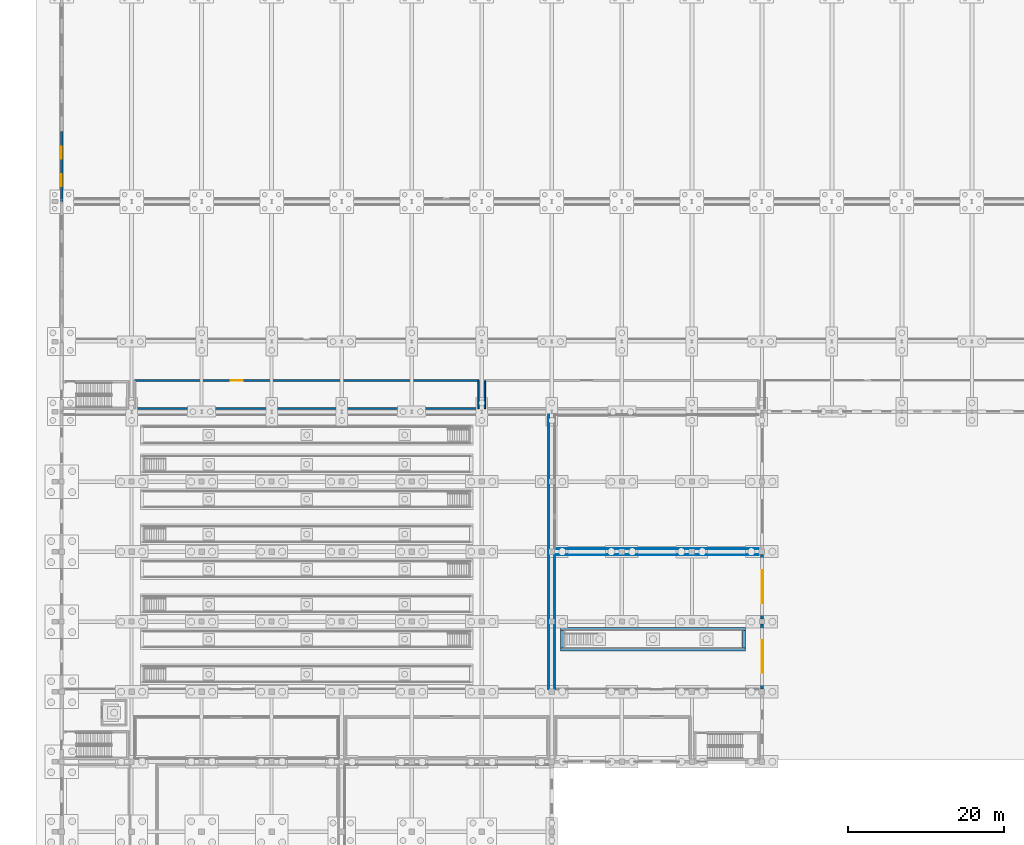
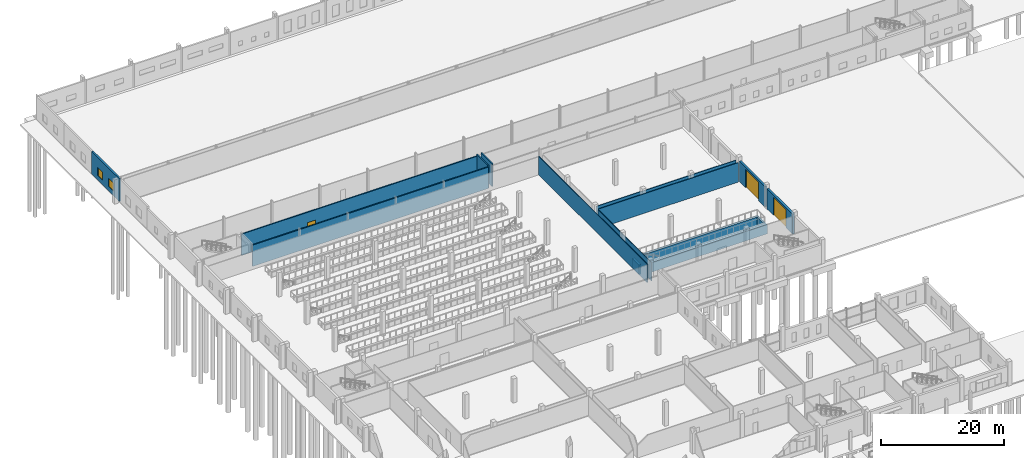
# One storey, part 69 of 112: 15 walls, 3 doors, 2 windows, 5 openings.
"""IFC4 building model written with IfcOpenShell, lengths in metres."""

from ifc_helpers import new_model, si_unit, direction, frame, frame_2d, origin, place, context, subcontext, project, spatial, rectangle, extrude, material, layer, layer_set, type_object, element, fill, save


model = new_model("IFC4")

# Units and contexts
model_context = context("Model", 3, precision=1e-05, world=origin(), true_north=direction((0.0, 1.0)))
body_context = subcontext(model_context, "Body", "Model", "MODEL_VIEW")
ifc_project = project(units=[si_unit("LENGTHUNIT", "METRE"), si_unit("AREAUNIT", "SQUARE_METRE"), si_unit("VOLUMEUNIT", "CUBIC_METRE"), si_unit("PLANEANGLEUNIT", "RADIAN"), si_unit("MASSUNIT", "GRAM", prefix="KILO")], contexts=[model_context])

# Site, building, storey
site_placement = place(None, origin())
site = spatial("IfcSite", under=ifc_project, at=site_placement, CompositionType="ELEMENT")
building_placement = place(site_placement, origin())
building = spatial("IfcBuilding", under=site, at=building_placement, Name="Tharagai Park Tramway Depot", CompositionType="ELEMENT")
storey_placement = place(building_placement, origin())
storey = spatial("IfcBuildingStorey", under=building, at=storey_placement, Name="L00", CompositionType="ELEMENT", Elevation=0.0)

# Wall, opening, door
ifc_material_1 = material(Name="Charnockite stone", Category="masonry")
ifc_layer_1 = layer(ifc_material_1, 0.3798828125)
ifc_layer_set_1 = layer_set([ifc_layer_1], Name="Charnockite stone")
wall_type_1 = type_object("IfcWallType", Name="EW-01", PredefinedType="SOLIDWALL", material=ifc_layer_set_1)
wall_1_placement = place(storey_placement, frame((90.0, 54.347900390625, 0.0), z_axis=(0.0, 0.0, 1.0), x_axis=(0.0, 1.0, 0.0)))
wall_1 = element("IfcWall", 1, at=wall_1_placement, inside=storey, type_object=wall_type_1, Name="L00 V2 Exterior Masonry Wall EW-01", PredefinedType="SOLIDWALL", context=body_context, shape_type="SweptSolid", body=[
    extrude(rectangle(XDim=8.3291015625, YDim=0.3798828125, at=frame_2d((4.16455078125, 0.0))), origin(), (0.0, 0.0, 1.0), 4.011962890625),
])
opening_1_placement = place(wall_1_placement, frame((2.06494140625, 0.0, 0.0)))
opening_1 = element("IfcOpeningElement", 2, at=opening_1_placement, cuts=wall_1, Name="Opening VG-03", PredefinedType="OPENING", context=body_context, shape_type="SweptSolid", body=[
    extrude(rectangle(XDim=4.199951171875, YDim=3.60009765625, at=frame_2d((2.10009765625, 1.800048828125))), frame((0.0, 0.199951171875, 0.0), z_axis=(0.0, -1.0, 0.0), x_axis=(1.0, 0.0, 0.0)), (0.0, 0.0, 1.0), 0.39990234375),
])
ifc_material_2 = material(Name="Galvanised steel", Category="steel")
door_type_1 = type_object("IfcDoorType", Name="VG-03", OperationType="FOLDING_TO_LEFT", PredefinedType="GATE", material=ifc_material_2)
door_1_placement = place(opening_1_placement, frame((4.199951171875, 0.0, 0.0), z_axis=(0.0, 0.0, 1.0), x_axis=(-1.0, 0.0, 0.0)))
door_1 = element("IfcDoor", 3, at=door_1_placement, inside=storey, type_object=door_type_1, Name="V2 Rolling-Stock Shutter Gate VG-03", OperationType="FOLDING_TO_LEFT", OverallHeight=3.60009765625, OverallWidth=4.199951171875, PredefinedType="GATE", context=body_context, shape_type="SweptSolid", body=[
    extrude(rectangle(XDim=4.199951171875, YDim=3.60009765625, at=frame_2d((2.10009765625, 1.800048828125))), frame((0.0, 0.02490234375, 0.0), z_axis=(0.0, -1.0, 0.0), x_axis=(1.0, 0.0, 0.0)), (0.0, 0.0, 1.0), 0.050048828125),
])
fill(opening_1, door_1)

wall_2_placement = place(storey_placement, frame((90.0, 63.322998046875, 0.0), z_axis=(0.0, 0.0, 1.0), x_axis=(0.0, 1.0, 0.0)))
wall_2 = element("IfcWall", 4, at=wall_2_placement, inside=storey, type_object=wall_type_1, Name="L00 V2 Exterior Masonry Wall EW-01", PredefinedType="SOLIDWALL", context=body_context, shape_type="SweptSolid", body=[
    extrude(rectangle(XDim=8.3291015625, YDim=0.3798828125, at=frame_2d((4.16455078125, 0.0))), origin(), (0.0, 0.0, 1.0), 4.011962890625),
])
opening_2_placement = place(wall_2_placement, frame((2.06494140625, 0.0, 0.0)))
opening_2 = element("IfcOpeningElement", 5, at=opening_2_placement, cuts=wall_2, Name="Opening VG-03", PredefinedType="OPENING", context=body_context, shape_type="SweptSolid", body=[
    extrude(rectangle(XDim=4.199951171875, YDim=3.60009765625, at=frame_2d((2.10009765625, 1.800048828125))), frame((0.0, 0.199951171875, 0.0), z_axis=(0.0, -1.0, 0.0), x_axis=(1.0, 0.0, 0.0)), (0.0, 0.0, 1.0), 0.39990234375),
])
door_2_placement = place(opening_2_placement, frame((4.199951171875, 0.0, 0.0), z_axis=(0.0, 0.0, 1.0), x_axis=(-1.0, 0.0, 0.0)))
door_2 = element("IfcDoor", 6, at=door_2_placement, inside=storey, type_object=door_type_1, Name="V2 Rolling-Stock Shutter Gate VG-03", OperationType="FOLDING_TO_LEFT", OverallHeight=3.60009765625, OverallWidth=4.199951171875, PredefinedType="GATE", context=body_context, shape_type="SweptSolid", body=[
    extrude(rectangle(XDim=4.199951171875, YDim=3.60009765625, at=frame_2d((2.10009765625, 1.800048828125))), frame((0.0, 0.02490234375, 0.0), z_axis=(0.0, -1.0, 0.0), x_axis=(1.0, 0.0, 0.0)), (0.0, 0.0, 1.0), 0.050048828125),
])
fill(opening_2, door_2)

# Wall, openings, windows
ifc_material_3 = material(Name="Pressed clay brick", Category="masonry")
ifc_layer_2 = layer(ifc_material_3, 0.300048828125)
ifc_layer_set_2 = layer_set([ifc_layer_2], Name="Pressed clay brick")
wall_type_2 = type_object("IfcWallType", Name="EW-08", PredefinedType="SOLIDWALL", material=ifc_layer_set_2)
wall_3_placement = place(storey_placement, frame((0.0, 117.00390625, 0.0), z_axis=(0.0, 0.0, 1.0), x_axis=(0.0, 1.0, 0.0)))
wall_3 = element("IfcWall", 7, at=wall_3_placement, inside=storey, type_object=wall_type_2, Name="L00 V1 Exterior Masonry Wall EW-08", PredefinedType="SOLIDWALL", context=body_context, shape_type="SweptSolid", body=[
    extrude(rectangle(XDim=8.99609375, YDim=0.300048828125, at=frame_2d((4.498046875, 0.0))), origin(), (0.0, 0.0, 1.0), 4.491943359375),
])
opening_3_placement = place(wall_3_placement, frame((1.945068359375, 0.0, 0.85009765625)))
opening_3 = element("IfcOpeningElement", 8, at=opening_3_placement, cuts=wall_3, Name="Opening WN-33", PredefinedType="OPENING", context=body_context, shape_type="SweptSolid", body=[
    extrude(rectangle(XDim=1.580078125, YDim=1.60009765625, at=frame_2d((0.7900390625, 0.800048828125))), frame((0.0, 0.159912109375, 0.0), z_axis=(0.0, -1.0, 0.0), x_axis=(1.0, 0.0, 0.0)), (0.0, 0.0, 1.0), 0.320068359375),
])
opening_4_placement = place(wall_3_placement, frame((5.470947265625, 0.0, 0.85009765625)))
opening_4 = element("IfcOpeningElement", 9, at=opening_4_placement, cuts=wall_3, Name="Opening WN-33", PredefinedType="OPENING", context=body_context, shape_type="SweptSolid", body=[
    extrude(rectangle(XDim=1.580078125, YDim=1.60009765625, at=frame_2d((0.7900390625, 0.800048828125))), frame((0.0, 0.159912109375, 0.0), z_axis=(0.0, -1.0, 0.0), x_axis=(1.0, 0.0, 0.0)), (0.0, 0.0, 1.0), 0.320068359375),
])
ifc_material_4 = material(Name="Laminated solar-control glass", Category="glass")
window_type = type_object("IfcWindowType", Name="WN-33", PartitioningType="SINGLE_PANEL", PredefinedType="WINDOW", material=ifc_material_4)
window_1_placement = place(opening_3_placement, origin())
window_1 = element("IfcWindow", 10, at=window_1_placement, inside=storey, type_object=window_type, Name="L00 V1 Side Lancet Window WN-33", OverallHeight=1.60009765625, OverallWidth=1.580078125, PartitioningType="SINGLE_PANEL", PredefinedType="WINDOW", context=body_context, shape_type="SweptSolid", body=[
    extrude(rectangle(XDim=1.580078125, YDim=1.60009765625, at=frame_2d((0.7900390625, 0.800048828125))), frame((0.0, 0.030029296875, 0.0), z_axis=(0.0, -1.0, 0.0), x_axis=(1.0, 0.0, 0.0)), (0.0, 0.0, 1.0), 0.06005859375),
])
fill(opening_3, window_1)
window_2_placement = place(opening_4_placement, origin())
window_2 = element("IfcWindow", 11, at=window_2_placement, inside=storey, type_object=window_type, Name="L00 V1 Side Lancet Window WN-33", OverallHeight=1.60009765625, OverallWidth=1.580078125, PartitioningType="SINGLE_PANEL", PredefinedType="WINDOW", context=body_context, shape_type="SweptSolid", body=[
    extrude(rectangle(XDim=1.580078125, YDim=1.60009765625, at=frame_2d((0.7900390625, 0.800048828125))), frame((0.0, 0.030029296875, 0.0), z_axis=(0.0, -1.0, 0.0), x_axis=(1.0, 0.0, 0.0)), (0.0, 0.0, 1.0), 0.06005859375),
])
fill(opening_4, window_2)

# Walls
ifc_material_5 = material(Name="Gypsum board", Category="gypsum")
ifc_layer_3 = layer(ifc_material_5, 0.1201171875)
ifc_layer_set_3 = layer_set([ifc_layer_3], Name="Gypsum board")
wall_type_3 = type_object("IfcWallType", Name="IW-03", PredefinedType="PARTITIONING", material=ifc_layer_set_3)
wall_4_placement = place(storey_placement, frame((62.60009765625, 54.300048828125, 0.0), z_axis=(0.0, 0.0, 1.0), x_axis=(0.0, 1.0, 0.0)))
element("IfcWall", 12, at=wall_4_placement, inside=storey, type_object=wall_type_3, Name="Maintenance Hall and Inspection Pit Bays Partition East", PredefinedType="PARTITIONING", context=body_context, shape_type="SweptSolid", body=[
    extrude(rectangle(XDim=35.300048828125, YDim=0.1201171875, at=frame_2d((17.64990234375, 0.0))), origin(), (0.0, 0.0, 1.0), 3.6650390625),
])
wall_5_placement = place(storey_placement, frame((63.39990234375, 71.60009765625, 0.0), z_axis=(0.0, 0.0, 1.0), x_axis=(1.0, 0.0, 0.0)))
element("IfcWall", 13, at=wall_5_placement, inside=storey, type_object=wall_type_3, Name="Underfloor Wheel Lathe Inspection Pit Hall Partition North", PredefinedType="PARTITIONING", context=body_context, shape_type="SweptSolid", body=[
    extrude(rectangle(XDim=26.2001953125, YDim=0.1201171875, at=frame_2d((13.10009765625, 0.0))), origin(), (0.0, 0.0, 1.0), 3.864990234375),
])
wall_6_placement = place(storey_placement, frame((63.39990234375, 54.300048828125, 0.0), z_axis=(0.0, 0.0, 1.0), x_axis=(0.0, 1.0, 0.0)))
element("IfcWall", 14, at=wall_6_placement, inside=storey, type_object=wall_type_3, Name="Underfloor Wheel Lathe Inspection Pit Hall Partition West", PredefinedType="PARTITIONING", context=body_context, shape_type="SweptSolid", body=[
    extrude(rectangle(XDim=17.300048828125, YDim=0.1201171875, at=frame_2d((8.64990234375, 0.0))), origin(), (0.0, 0.0, 1.0), 3.6650390625),
])
wall_7_placement = place(storey_placement, frame((63.39990234375, 72.39990234375, 0.0), z_axis=(0.0, 0.0, 1.0), x_axis=(1.0, 0.0, 0.0)))
element("IfcWall", 15, at=wall_7_placement, inside=storey, type_object=wall_type_3, Name="Bogie Drop Table and Heavy Lifting Bay Partition South", PredefinedType="PARTITIONING", context=body_context, shape_type="SweptSolid", body=[
    extrude(rectangle(XDim=26.2001953125, YDim=0.1201171875, at=frame_2d((13.10009765625, 0.0))), origin(), (0.0, 0.0, 1.0), 3.864990234375),
])
ifc_layer_4 = layer(ifc_material_3, 0.219970703125)
ifc_layer_set_4 = layer_set([ifc_layer_4], Name="Pressed clay brick")
wall_type_4 = type_object("IfcWallType", Name="IW-05", PredefinedType="SOLIDWALL", material=ifc_layer_set_4)
wall_8_placement = place(storey_placement, frame((9.39990234375, 90.39990234375, 0.0), z_axis=(0.0, 0.0, 1.0), x_axis=(1.0, 0.0, 0.0)))
element("IfcWall", 16, at=wall_8_placement, inside=storey, type_object=wall_type_4, Name="Electric Bus Opportunity Charging Hall West Partition South", PredefinedType="SOLIDWALL", context=body_context, shape_type="SweptSolid", body=[
    extrude(rectangle(XDim=44.2001953125, YDim=0.219970703125, at=frame_2d((22.10009765625, 0.0))), origin(), (0.0, 0.0, 1.0), 4.215087890625),
])

# Wall, opening, door
wall_9_placement = place(storey_placement, frame((9.39990234375, 94.0, 0.0), z_axis=(0.0, 0.0, 1.0), x_axis=(1.0, 0.0, 0.0)))
wall_9 = element("IfcWall", 17, at=wall_9_placement, inside=storey, type_object=wall_type_4, Name="Electric Bus Opportunity Charging Hall West Partition North", PredefinedType="SOLIDWALL", context=body_context, shape_type="SweptSolid", body=[
    extrude(rectangle(XDim=44.2001953125, YDim=0.219970703125, at=frame_2d((22.10009765625, 0.0))), origin(), (0.0, 0.0, 1.0), 4.215087890625),
])
opening_5_placement = place(wall_9_placement, frame((12.340087890625, 0.0, 0.0)))
opening_5 = element("IfcOpeningElement", 18, at=opening_5_placement, cuts=wall_9, Name="Opening ID-11", PredefinedType="OPENING", context=body_context, shape_type="SweptSolid", body=[
    extrude(rectangle(XDim=1.52001953125, YDim=2.159912109375, at=frame_2d((0.760009765625, 1.080078125))), frame((0.0, 0.119873046875, 0.0), z_axis=(0.0, -1.0, 0.0), x_axis=(1.0, 0.0, 0.0)), (0.0, 0.0, 1.0), 0.239990234375),
])
door_type_2 = type_object("IfcDoorType", Name="ID-11", OperationType="DOUBLE_SWING_LEFT", PredefinedType="DOOR", material=ifc_material_2)
door_3_placement = place(opening_5_placement, origin())
door_3 = element("IfcDoor", 19, at=door_3_placement, inside=storey, type_object=door_type_2, Name="Electric Bus Opportunity Charging Hall West Door", OperationType="DOUBLE_SWING_LEFT", OverallHeight=2.159912109375, OverallWidth=1.52001953125, PredefinedType="DOOR", context=body_context, shape_type="SweptSolid", body=[
    extrude(rectangle(XDim=1.52001953125, YDim=2.159912109375, at=frame_2d((0.760009765625, 1.080078125))), frame((0.0, 0.02490234375, 0.0), z_axis=(0.0, -1.0, 0.0), x_axis=(1.0, 0.0, 0.0)), (0.0, 0.0, 1.0), 0.050048828125),
])
fill(opening_5, door_3)

# Walls
for number, where, z_axis, x_axis, name in (
    (20, (53.60009765625, 90.39990234375, 0.0), (0.0, 0.0, 1.0), (0.0, 1.0, 0.0), "Electric Bus Opportunity Charging Hall West Partition East"),
    (21, (54.39990234375, 90.39990234375, 0.0), (0.0, 0.0, 1.0), (0.0, 1.0, 0.0), "Pantograph Charger Switchgear Room Partition West"),
):
    element("IfcWall", number, at=place(storey_placement, frame(where, z_axis=z_axis, x_axis=x_axis)), inside=storey, type_object=wall_type_4, Name=name, PredefinedType="SOLIDWALL", context=body_context, shape_type="SweptSolid", body=[
        extrude(rectangle(XDim=3.60009765625, YDim=0.219970703125, at=frame_2d((1.800048828125, 0.0))), origin(), (0.0, 0.0, 1.0), 4.550048828125),
    ])
ifc_material_6 = material(Name="Concrete M40", Category="concrete")
ifc_layer_5 = layer(ifc_material_6, 0.39990234375)
ifc_layer_set_5 = layer_set([ifc_layer_5], Name="Concrete M40")
wall_type_5 = type_object("IfcWallType", Name="PW-01", PredefinedType="SOLIDWALL", material=ifc_layer_set_5)
for number, where, z_axis, x_axis, name in (
    (22, (64.10009765625, 59.449951171875, -2.199951171875), (0.0, 0.0, 1.0), (1.0, 0.0, 0.0), "Underfloor Wheel-Lathe Pit Retaining Wall S"),
    (23, (64.10009765625, 62.050048828125, -2.199951171875), (0.0, 0.0, 1.0), (1.0, 0.0, 0.0), "Underfloor Wheel-Lathe Pit Retaining Wall N"),
):
    element("IfcWall", number, at=place(storey_placement, frame(where, z_axis=z_axis, x_axis=x_axis)), inside=storey, type_object=wall_type_5, Name=name, PredefinedType="SOLIDWALL", context=body_context, shape_type="SweptSolid", body=[
        extrude(rectangle(XDim=23.7998046875, YDim=0.39990234375, at=frame_2d((11.89990234375, 0.0))), origin(), (0.0, 0.0, 1.0), 1.89990234375),
    ])
for number, where, z_axis, x_axis, name in (
    (24, (64.300048828125, 59.64990234375, -2.199951171875), (0.0, 0.0, 1.0), (0.0, 1.0, 0.0), "Underfloor Wheel-Lathe Pit Retaining Wall W"),
    (25, (87.699951171875, 59.64990234375, -2.199951171875), (0.0, 0.0, 1.0), (0.0, 1.0, 0.0), "Underfloor Wheel-Lathe Pit Retaining Wall E"),
):
    element("IfcWall", number, at=place(storey_placement, frame(where, z_axis=z_axis, x_axis=x_axis)), inside=storey, type_object=wall_type_5, Name=name, PredefinedType="SOLIDWALL", context=body_context, shape_type="SweptSolid", body=[
        extrude(rectangle(XDim=2.2001953125, YDim=0.39990234375, at=frame_2d((1.10009765625, 0.0))), origin(), (0.0, 0.0, 1.0), 1.89990234375),
    ])

save(model, "model.ifc")
